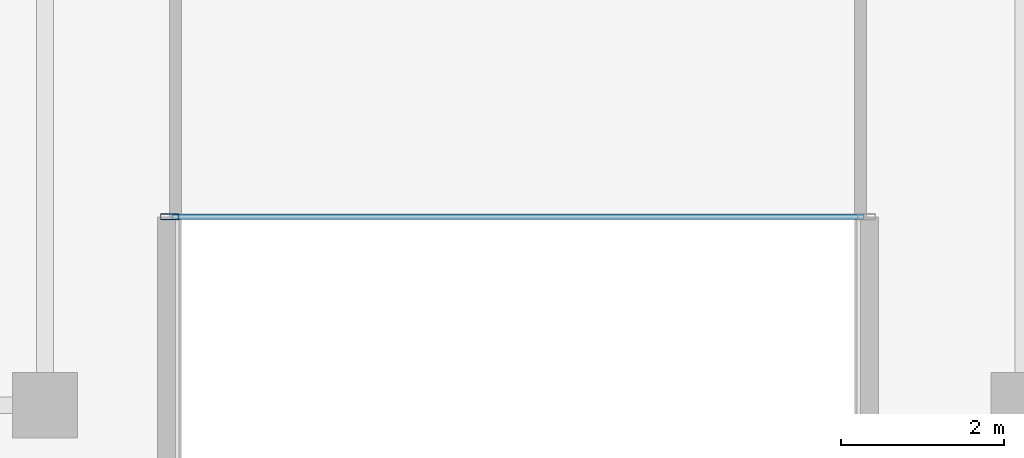
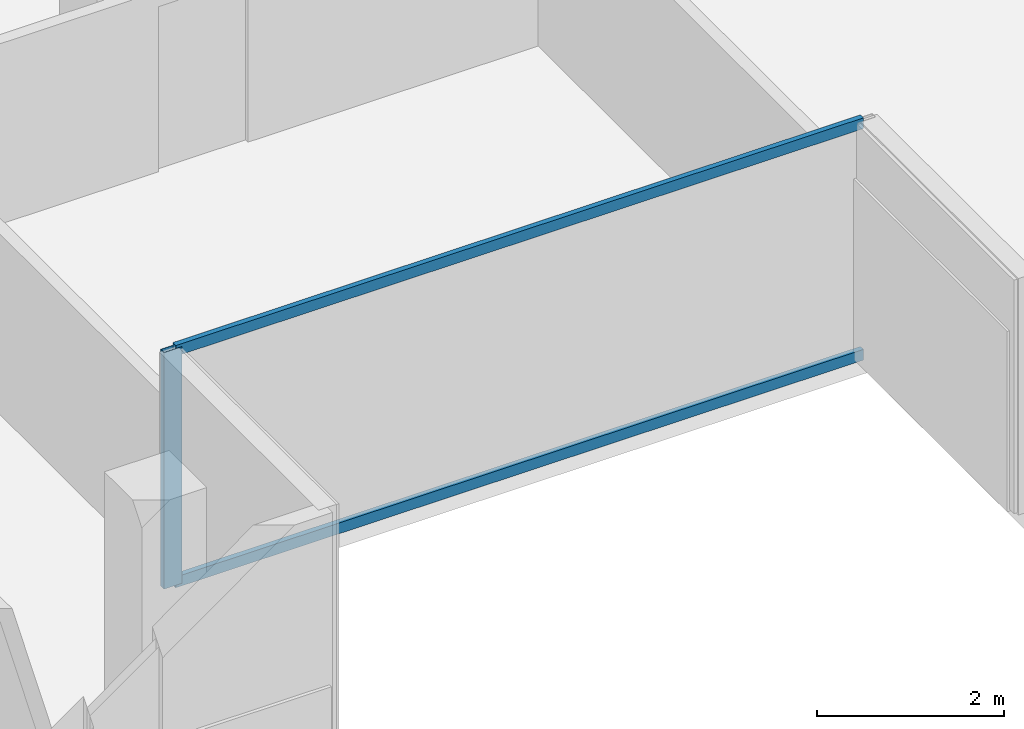
# One storey, part 4 of 29: 3 members, 1 element without a shape of its own.
"""IFC4 building model written with IfcOpenShell, lengths in metres."""

from ifc_helpers import new_model, si_unit, direction, frame, origin, origin_2d, place, context, subcontext, project, spatial, hollow_rectangle, extrude, material, layer, layer_set, material_profile, profile_set, type_object, element, aggregate, save


model = new_model("IFC4")

# Units and contexts
model_context = context("Model", 3, precision=1e-05, world=origin(), true_north=direction((0.0, 1.0)))
body_context = subcontext(model_context, "Body", "Model", "MODEL_VIEW")
ifc_project = project(units=[si_unit("LENGTHUNIT", "METRE"), si_unit("AREAUNIT", "SQUARE_METRE"), si_unit("VOLUMEUNIT", "CUBIC_METRE"), si_unit("PLANEANGLEUNIT", "RADIAN"), si_unit("MASSUNIT", "GRAM", prefix="KILO")], contexts=[model_context])

# Site, building, storey
site_placement = place(None, origin())
site = spatial("IfcSite", under=ifc_project, at=site_placement, CompositionType="ELEMENT")
building_placement = place(site_placement, origin())
building = spatial("IfcBuilding", under=site, at=building_placement, Name="Tanjung Sevakor Pilgrim Tower", CompositionType="ELEMENT")
storey_placement = place(building_placement, frame((0.0, 0.0, 188.429931640625)))
storey = spatial("IfcBuildingStorey", under=building, at=storey_placement, Name="L52", CompositionType="ELEMENT", Elevation=188.429931640625)

# Curtain wall, members
ifc_material_1 = material(Name="Aluminium 6063-T6 and Low-E Glass", Category="aluminium")
ifc_layer = layer(ifc_material_1, 0.179931640625)
ifc_layer_set = layer_set([ifc_layer], Name="CW-SYS-CLEFT")
curtain_wall_type = type_object("IfcCurtainWallType", Name="CW-SYS-CLEFT", PredefinedType="NOTDEFINED", material=ifc_layer_set)
curtain_wall_placement = place(storey_placement, origin())
curtain_wall = element("IfcCurtainWall", 1, at=curtain_wall_placement, inside=storey, type_object=curtain_wall_type, Name="L52 Curtain Wall CW-CLF-L52-2", PredefinedType="NOTDEFINED")
ifc_material_2 = material(Name="Aluminium 6063-T6", Category="aluminium")
ifc_material_profile_1 = material_profile(ifc_material_2, hollow_rectangle(XDim=0.074951171875, YDim=0.219970703125, WallThickness=0.0048828125, at=origin_2d()))
ifc_profile_set_1 = profile_set([ifc_material_profile_1], Name="Aluminium 6063-T6")
member_type_1 = type_object("IfcMemberType", Name="TYPE-CWM-2", PredefinedType="MULLION", material=ifc_profile_set_1)
member_1_placement = place(storey_placement, frame((43.527587890625, 15.56005859375, 0.0), z_axis=(0.0, 0.0, 1.0), x_axis=(0.0, 1.0, 0.0)))
member_1 = element("IfcMember", 2, at=member_1_placement, type_object=member_type_1, Name="CW-CLF mullion 1", PredefinedType="MULLION", context=body_context, shape_type="SweptSolid", body=[
    extrude(hollow_rectangle(XDim=0.074951171875, YDim=0.219970703125, WallThickness=0.0048828125, at=origin_2d()), origin(), (0.0, 0.0, 1.0), 3.080078125),
])
ifc_material_3 = material(Name="Aluminium 6063-T6", Category="aluminium")
ifc_material_profile_2 = material_profile(ifc_material_3, hollow_rectangle(XDim=0.06494140625, YDim=0.139892578125, WallThickness=0.00390625, at=origin_2d()))
ifc_profile_set_2 = profile_set([ifc_material_profile_2], Name="Aluminium 6063-T6")
member_type_2 = type_object("IfcMemberType", Name="TYPE-CWT-1", PredefinedType="USERDEFINED", material=ifc_profile_set_2)
member_2_placement = place(storey_placement, frame((43.56494140625, 15.56005859375, 0.032470703125), z_axis=(1.0, 0.0, 0.0), x_axis=(0.0, 1.0, 0.0)))
member_2 = element("IfcMember", 3, at=member_2_placement, type_object=member_type_2, Name="CW-CLF transom 1.1", ObjectType="TRANSOM", PredefinedType="USERDEFINED", context=body_context, shape_type="SweptSolid", body=[
    extrude(hollow_rectangle(XDim=0.06494140625, YDim=0.139892578125, WallThickness=0.00390625, at=origin_2d()), origin(), (0.0, 0.0, 1.0), 8.469970703125),
])
member_3_placement = place(storey_placement, frame((43.56494140625, 15.56005859375, 3.047607421875), z_axis=(1.0, 0.0, 0.0), x_axis=(0.0, 1.0, 0.0)))
member_3 = element("IfcMember", 4, at=member_3_placement, type_object=member_type_2, Name="CW-CLF transom 1.2", ObjectType="TRANSOM", PredefinedType="USERDEFINED", context=body_context, shape_type="SweptSolid", body=[
    extrude(hollow_rectangle(XDim=0.06494140625, YDim=0.139892578125, WallThickness=0.00390625, at=origin_2d()), origin(), (0.0, 0.0, 1.0), 8.469970703125),
])
aggregate(curtain_wall, [member_1, member_2, member_3])

save(model, "model.ifc")
